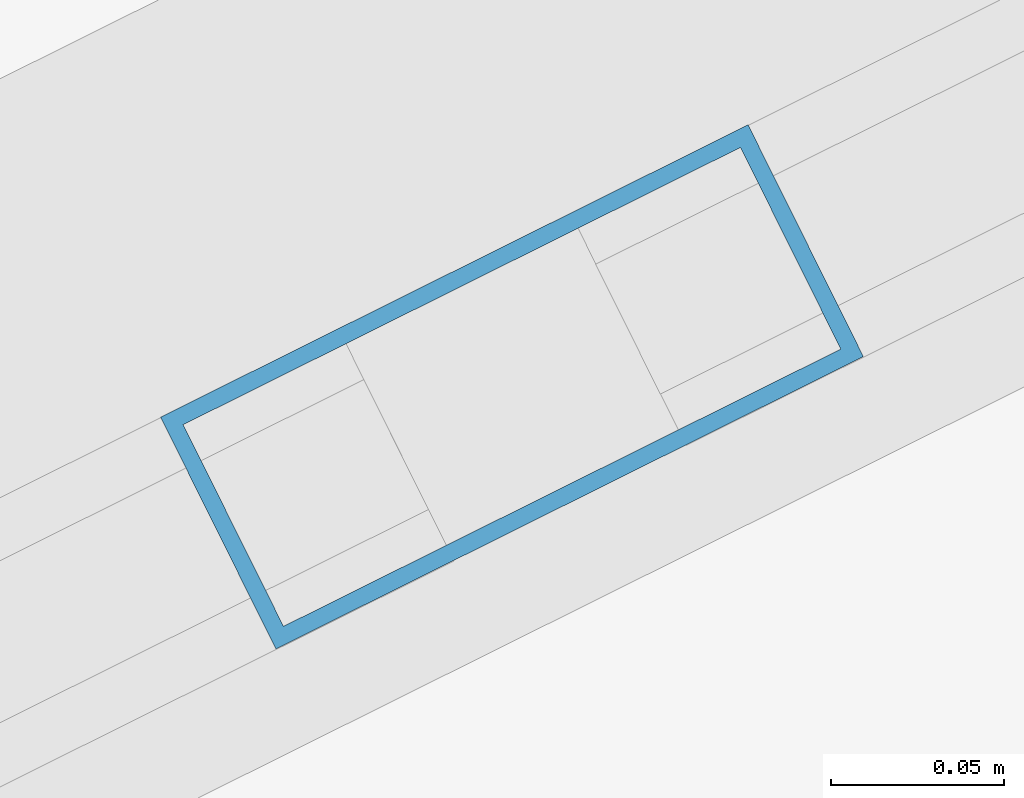
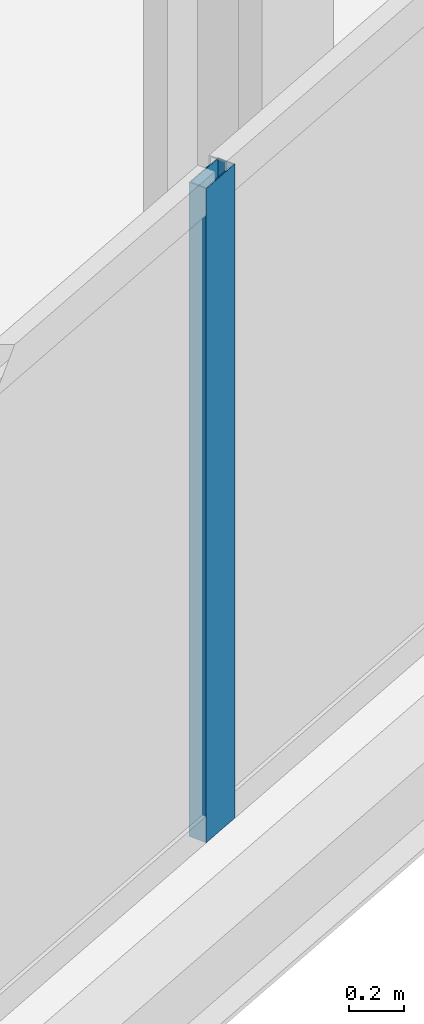
# One storey, part 9 of 35: 1 member, 1 element without a shape of its own.
"""IFC4 building model written with IfcOpenShell, lengths in metres."""

from ifc_helpers import new_model, si_unit, direction, frame, origin, origin_2d, place, context, subcontext, project, spatial, hollow_rectangle, extrude, material, material_profile, profile_set, type_object, element, aggregate, save


model = new_model("IFC4")

# Units and contexts
model_context = context("Model", 3, precision=1e-05, world=origin(), true_north=direction((0.0, 1.0)))
body_context = subcontext(model_context, "Body", "Model", "MODEL_VIEW")
ifc_project = project(units=[si_unit("LENGTHUNIT", "METRE"), si_unit("AREAUNIT", "SQUARE_METRE"), si_unit("VOLUMEUNIT", "CUBIC_METRE"), si_unit("PLANEANGLEUNIT", "RADIAN"), si_unit("MASSUNIT", "GRAM", prefix="KILO")], contexts=[model_context])

# Site, building, storey
site_placement = place(None, origin())
site = spatial("IfcSite", under=ifc_project, at=site_placement, CompositionType="ELEMENT")
building_placement = place(site_placement, origin())
building = spatial("IfcBuilding", under=site, at=building_placement, Name="Haldenkirk Collegiate Tower", CompositionType="ELEMENT")
storey_placement = place(building_placement, frame((0.0, 0.0, 116.699951171875)))
storey = spatial("IfcBuildingStorey", under=building, at=storey_placement, Name="L28", CompositionType="ELEMENT", Elevation=116.699951171875)

# Curtain wall, member
ifc_material = material(Name="Anodised architectural bronze aluminium", Category="aluminium")
curtain_wall_type = type_object("IfcCurtainWallType", Name="CW-SYS2-CONCAVE", PredefinedType="USERDEFINED", material=ifc_material)
curtain_wall_placement = place(storey_placement, origin())
curtain_wall = element("IfcCurtainWall", 1, at=curtain_wall_placement, inside=storey, type_object=curtain_wall_type, Name="L28 South concave recessed bronze-anodised curtain wall", ObjectType="UNITISED CURTAIN WALL", PredefinedType="USERDEFINED")
ifc_material_profile = material_profile(ifc_material, hollow_rectangle(XDim=0.074951171875, YDim=0.18994140625, WallThickness=0.0048828125, at=origin_2d()), Name="CW-MUL-02")
ifc_profile_set = profile_set([ifc_material_profile], Name="Anodised architectural bronze aluminium")
member_type = type_object("IfcMemberType", Name="CW-MUL-02", PredefinedType="MULLION", material=ifc_profile_set)
member_placement = place(storey_placement, frame((56.04345703125, 9.003662109375, 0.0), z_axis=(0.0, 0.0, 1.0), x_axis=(0.445415099364, -0.895324181098, 0.0)))
member = element("IfcMember", 2, at=member_placement, type_object=member_type, Name="CW-02 mullion 2", PredefinedType="MULLION", context=body_context, shape_type="SweptSolid", body=[
    extrude(hollow_rectangle(XDim=0.074951171875, YDim=0.18994140625, WallThickness=0.0048828125, at=origin_2d()), origin(), (0.0, 0.0, 1.0), 2.901123046875),
])
aggregate(curtain_wall, [member])

save(model, "model.ifc")
